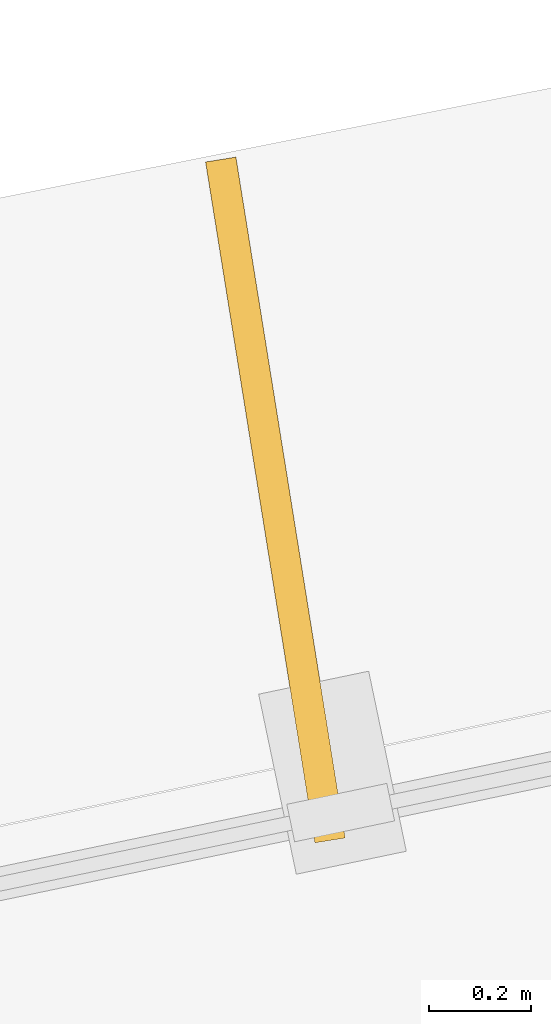
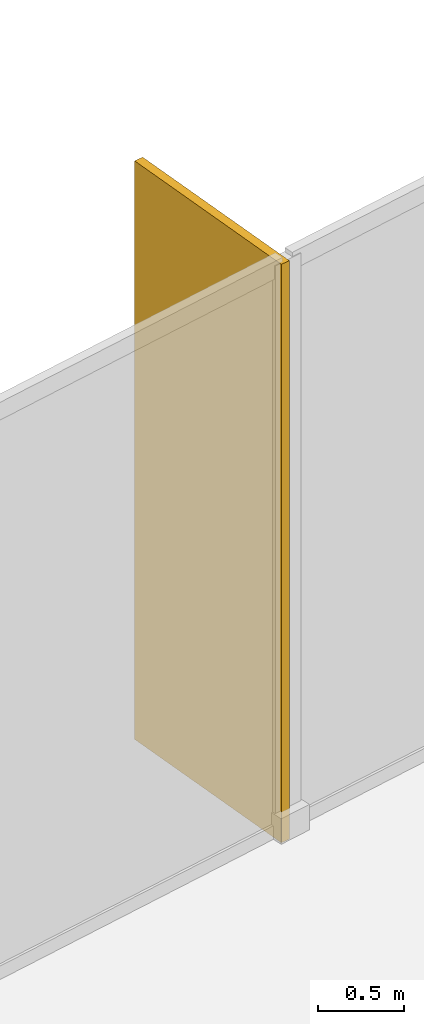
# One storey, part 12 of 12: 1 shading device.
"""IFC4 building model written with IfcOpenShell, lengths in metres."""

from ifc_helpers import new_model, si_unit, direction, frame, origin, origin_2d, place, context, subcontext, project, spatial, rectangle, extrude, material, layer, layer_set, type_object, element, save


model = new_model("IFC4")

# Units and contexts
model_context = context("Model", 3, precision=1e-05, world=origin(), true_north=direction((0.0, 1.0)))
body_context = subcontext(model_context, "Body", "Model", "MODEL_VIEW")
ifc_project = project(units=[si_unit("LENGTHUNIT", "METRE"), si_unit("AREAUNIT", "SQUARE_METRE"), si_unit("VOLUMEUNIT", "CUBIC_METRE"), si_unit("PLANEANGLEUNIT", "RADIAN"), si_unit("MASSUNIT", "GRAM", prefix="KILO")], contexts=[model_context])

# Site, building, storey
site_placement = place(None, origin())
site = spatial("IfcSite", under=ifc_project, at=site_placement, CompositionType="ELEMENT")
building_placement = place(site_placement, origin())
building = spatial("IfcBuilding", under=site, at=building_placement, Name="Solmarez Civic Tower", CompositionType="ELEMENT")
storey_placement = place(building_placement, frame((0.0, 0.0, 111.9599609375)))
storey = spatial("IfcBuildingStorey", under=building, at=storey_placement, Name="L29", CompositionType="ELEMENT", Elevation=111.9599609375)

# Shading device
ifc_material = material(Name="Bronze Anodised Aluminium EN AW-6063 T6", Category="aluminium")
ifc_layer = layer(ifc_material, 0.06005859375)
ifc_layer_set = layer_set([ifc_layer], Name="Bronze Anodised Aluminium EN AW-6063 T6")
shading_device_type = type_object("IfcShadingDeviceType", Name="FIN-BRONZE-Z34", PredefinedType="USERDEFINED", material=ifc_layer_set)
shading_device_placement = place(storey_placement, frame((-5.5859375, 26.738037109375, -0.0400390625), z_axis=(0.0, 0.0, 1.0), x_axis=(-0.158451031863, 0.987366836845, 0.0)))
element("IfcShadingDevice", 1, at=shading_device_placement, inside=storey, type_object=shading_device_type, Name="L29 Anodised Bronze Solar Fin FIN-L29-05", ObjectType="FIN", PredefinedType="USERDEFINED", context=body_context, shape_type="SweptSolid", body=[
    extrude(rectangle(XDim=1.35009765625, YDim=0.06005859375, at=origin_2d()), origin(), (0.0, 0.0, 1.0), 4.10009765625),
])

save(model, "model.ifc")
